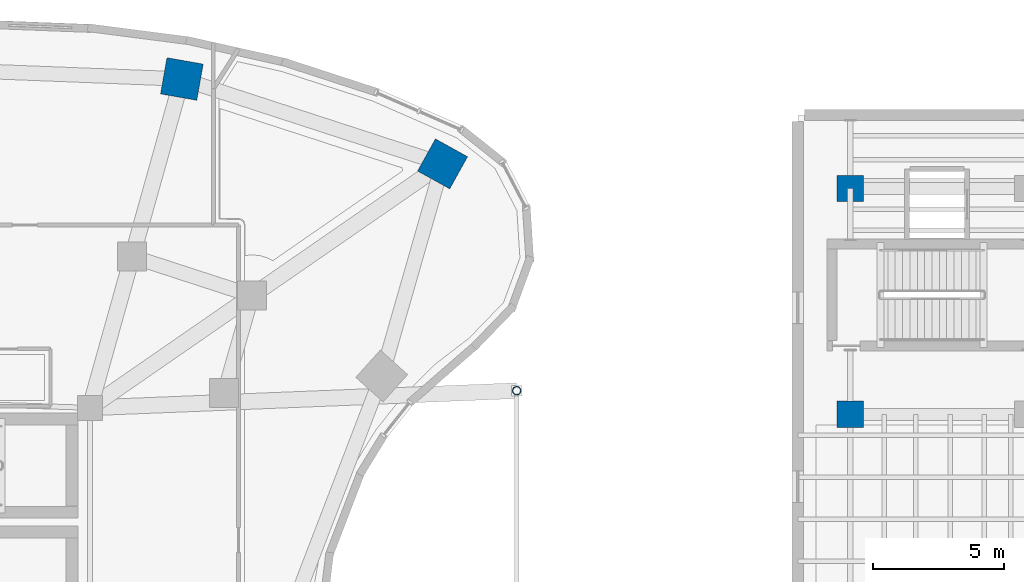
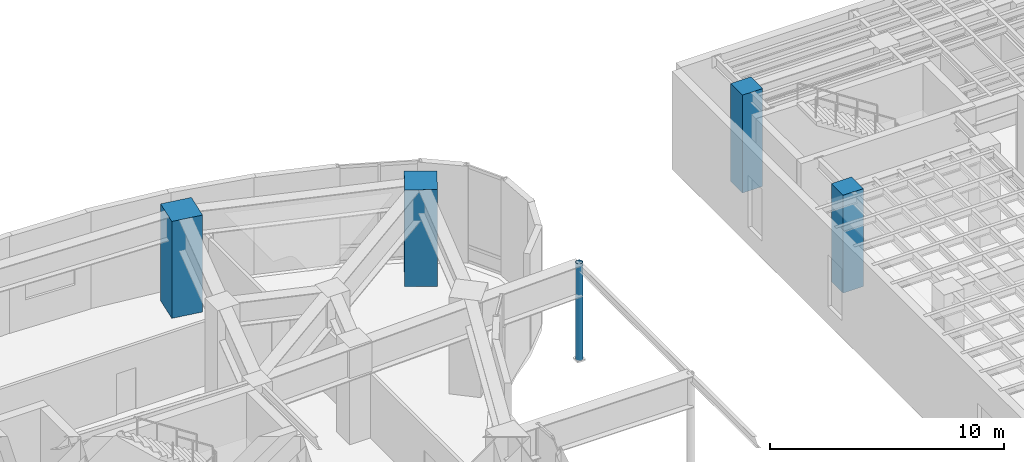
# One storey, part 4 of 23: 5 columns.
"""IFC4 building model written with IfcOpenShell, lengths in metres."""

from ifc_helpers import new_model, si_unit, direction, frame, origin, origin_2d, place, context, subcontext, project, spatial, rectangle, hollow_circle, extrude, material, material_profile, profile_set, type_object, element, save


model = new_model("IFC4")

# Units and contexts
model_context = context("Model", 3, precision=1e-05, world=origin(), true_north=direction((0.0, 1.0)))
body_context = subcontext(model_context, "Body", "Model", "MODEL_VIEW")
ifc_project = project(units=[si_unit("LENGTHUNIT", "METRE"), si_unit("AREAUNIT", "SQUARE_METRE"), si_unit("VOLUMEUNIT", "CUBIC_METRE"), si_unit("PLANEANGLEUNIT", "RADIAN"), si_unit("MASSUNIT", "GRAM", prefix="KILO")], contexts=[model_context])

# Site, building, storey
site_placement = place(None, origin())
site = spatial("IfcSite", under=ifc_project, at=site_placement, CompositionType="ELEMENT")
building_placement = place(site_placement, origin())
building = spatial("IfcBuilding", under=site, at=building_placement, Name="Korentha Bioscience Tower", CompositionType="ELEMENT")
storey_placement = place(building_placement, frame((0.0, 0.0, 15.0)))
storey = spatial("IfcBuildingStorey", under=building, at=storey_placement, Name="L03", CompositionType="ELEMENT", Elevation=15.0)

# Columns
ifc_material_1 = material(Name="Steel S355", Category="steel")
ifc_material_profile_1 = material_profile(ifc_material_1, hollow_circle(Radius=0.161865234375, WallThickness=0.01611328125, at=origin_2d()), Name="Steel S355")
ifc_profile_set_1 = profile_set([ifc_material_profile_1], Name="Steel S355 (AC-01)")
column_type_1 = type_object("IfcColumnType", Name="Arcade Portal Column CHS 323.9x16", PredefinedType="COLUMN", material=ifc_profile_set_1)
column_placement = place(storey_placement, frame((53.800048828125, 36.5, 0.0), z_axis=(0.0, 0.0, 1.0), x_axis=(1.0, 0.0, 0.0)))
element("IfcColumn", 1, at=column_placement, inside=storey, type_object=column_type_1, Name="L03 Terrace Support Column 3", PredefinedType="COLUMN", context=body_context, shape_type="SweptSolid", body=[
    extrude(hollow_circle(Radius=0.161865234375, WallThickness=0.01611328125, at=origin_2d()), origin(), (0.0, 0.0, 1.0), 5.050537109375),
])
ifc_material_2 = material(Name="Concrete C80", Category="concrete")
ifc_material_profile_2 = material_profile(ifc_material_2, rectangle(XDim=1.39990234375, YDim=1.39990234375, at=origin_2d()), Name="Concrete C80")
ifc_profile_set_2 = profile_set([ifc_material_profile_2], Name="Concrete C80 (COL-P14)")
column_type_2 = type_object("IfcColumnType", Name="Perimeter Column RC 1400x1400", PredefinedType="COLUMN", material=ifc_profile_set_2)
for number, where, z_axis, x_axis, name in (
    (2, (50.977294921875, 45.135498046875, -0.00048828125), (0.0, 0.0, 1.0), (-0.874535078577, 0.484962262797, 0.0), "L03 Perimeter Column 01"),
    (3, (41.052490234375, 48.36669921875, -0.00048828125), (0.0, 0.0, 1.0), (-0.984868307662, 0.173304404339, 0.0), "L03 Perimeter Column 02"),
):
    element("IfcColumn", number, at=place(storey_placement, frame(where, z_axis=z_axis, x_axis=x_axis)), inside=storey, type_object=column_type_2, Name=name, PredefinedType="COLUMN", context=body_context, shape_type="SweptSolid", body=[
        extrude(rectangle(XDim=1.39990234375, YDim=1.39990234375, at=origin_2d()), origin(), (0.0, 0.0, 1.0), 5.051025390625),
    ])
ifc_material_3 = material(Name="Concrete C50", Category="concrete")
ifc_material_profile_3 = material_profile(ifc_material_3, rectangle(XDim=1.0, YDim=1.0, at=origin_2d()), Name="Concrete C50")
ifc_profile_set_3 = profile_set([ifc_material_profile_3], Name="Concrete C50 (TC-01)")
column_type_3 = type_object("IfcColumnType", Name="Theatre Primary Column RC 1000x1000", PredefinedType="COLUMN", material=ifc_profile_set_3)
for number, where, z_axis, x_axis, name in (
    (4, (66.5, 35.60009765625, 0.0), (0.0, 0.0, 1.0), (1.0, 0.0, 0.0), "L03 Theatre Column 1-4"),
    (5, (66.5, 44.199951171875, 0.0), (0.0, 0.0, 1.0), (1.0, 0.0, 0.0), "L03 Theatre Column 1-5"),
):
    element("IfcColumn", number, at=place(storey_placement, frame(where, z_axis=z_axis, x_axis=x_axis)), inside=storey, type_object=column_type_3, Name=name, PredefinedType="COLUMN", context=body_context, shape_type="SweptSolid", body=[
        extrude(rectangle(XDim=1.0, YDim=1.0, at=origin_2d()), origin(), (0.0, 0.0, 1.0), 5.10009765625),
    ])

save(model, "model.ifc")
